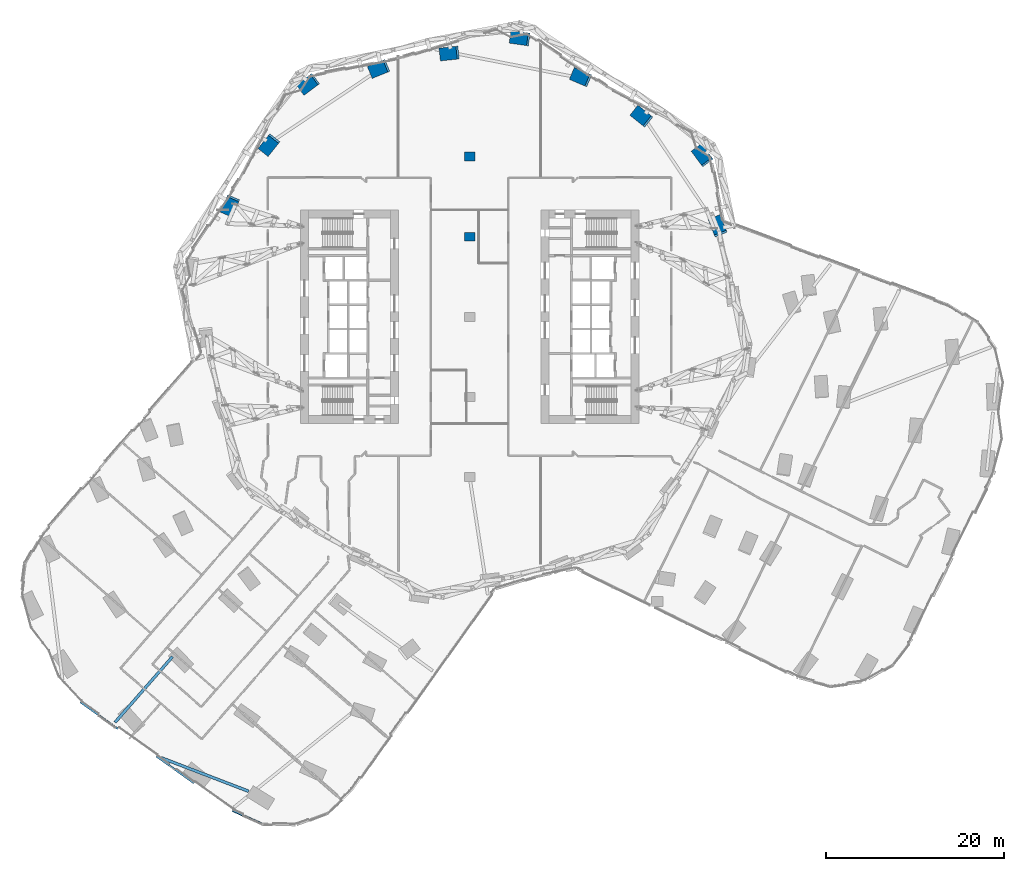
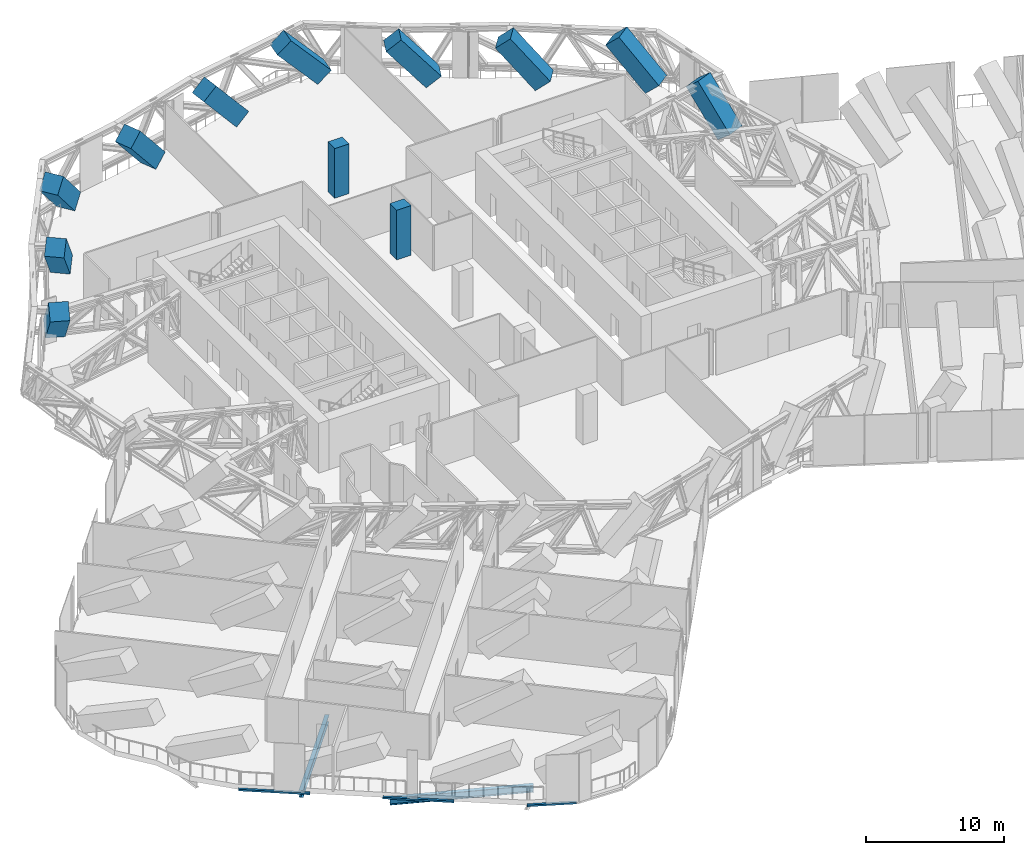
# One storey, part 2 of 34: 12 columns, 3 members, 2 beams, 2 elements without a shape of their own.
"""IFC4 building model written with IfcOpenShell, lengths in metres."""

from ifc_helpers import new_model, si_unit, direction, frame, origin, origin_2d, place, context, subcontext, project, spatial, rectangle, i_section, extrude, material, material_profile, profile_set, type_object, element, aggregate, save


model = new_model("IFC4")

# Units and contexts
model_context = context("Model", 3, precision=1e-05, world=origin(), true_north=direction((0.0, 1.0)))
body_context = subcontext(model_context, "Body", "Model", "MODEL_VIEW")
ifc_project = project(units=[si_unit("LENGTHUNIT", "METRE"), si_unit("AREAUNIT", "SQUARE_METRE"), si_unit("VOLUMEUNIT", "CUBIC_METRE"), si_unit("PLANEANGLEUNIT", "RADIAN"), si_unit("MASSUNIT", "GRAM", prefix="KILO")], contexts=[model_context])

# Site, building, storey
site_placement = place(None, origin())
site = spatial("IfcSite", under=ifc_project, at=site_placement, CompositionType="ELEMENT")
building_placement = place(site_placement, origin())
building = spatial("IfcBuilding", under=site, at=building_placement, Name="Orlundy Tower", CompositionType="ELEMENT")
storey_placement = place(building_placement, frame((0.0, 0.0, 76.300048828125)))
storey = spatial("IfcBuildingStorey", under=building, at=storey_placement, Name="L18", CompositionType="ELEMENT", Elevation=76.300048828125)

# Columns
ifc_material_1 = material(Name="Concrete C80/95", Category="concrete")
ifc_material_profile_1 = material_profile(ifc_material_1, rectangle(XDim=1.199951171875, YDim=1.0, at=origin_2d()), Name="RC1200X1000")
ifc_profile_set_1 = profile_set([ifc_material_profile_1], Name="Concrete C80/95")
column_type_1 = type_object("IfcColumnType", Name="RC COLUMN RC1200X1000 C80/95", PredefinedType="COLUMN", material=ifc_profile_set_1)
for number, where, z_axis, x_axis, name in (
    (1, (0.0, 9.0, 0.0), (0.0, 0.0, 1.0), (1.0, 0.0, 0.0), "Column C-M4 L18"),
    (2, (0.0, 18.0, 0.0), (0.0, 0.0, 1.0), (1.0, 0.0, 0.0), "Column C-M5 L18"),
):
    element("IfcColumn", number, at=place(storey_placement, frame(where, z_axis=z_axis, x_axis=x_axis)), inside=storey, type_object=column_type_1, Name=name, PredefinedType="COLUMN", context=body_context, shape_type="SweptSolid", body=[
        extrude(rectangle(XDim=1.199951171875, YDim=1.0, at=origin_2d()), origin(), (0.0, 0.0, 1.0), 4.39990234375),
    ])
ifc_material_2 = material(Name="Concrete C80/95", Category="concrete")
ifc_material_profile_2 = material_profile(ifc_material_2, rectangle(XDim=1.449951171875, YDim=1.449951171875, at=origin_2d()), Name="RC1450X1450")
ifc_profile_set_2 = profile_set([ifc_material_profile_2], Name="Concrete C80/95")
column_type_2 = type_object("IfcColumnType", Name="RC COLUMN RC1450X1450 C80/95", PredefinedType="COLUMN", material=ifc_profile_set_2)
column_1_placement = place(storey_placement, frame((26.43408203125, 17.718017578125, 0.490966796875), z_axis=(-0.404525579295, 0.5431164527, 0.735787723805), x_axis=(-0.801988529127, -0.597339433781, 0.0)))
element("IfcColumn", 3, at=column_1_placement, inside=storey, type_object=column_type_2, Name="Column C-H01 L18 strut", PredefinedType="COLUMN", context=body_context, shape_type="SweptSolid", body=[
    extrude(rectangle(XDim=1.449951171875, YDim=1.449951171875, at=origin_2d()), origin(), (0.0, 0.0, 1.0), 4.645263671875),
])
column_2_placement = place(storey_placement, frame((28.029052734375, 9.758056640625, 0.46875), z_axis=(-0.242399975133, 0.599329365947, 0.762919761947), x_axis=(-0.927046689542, -0.374945909979, 0.0)))
element("IfcColumn", 4, at=column_2_placement, inside=storey, type_object=column_type_2, Name="Column C-H02 L18 strut", PredefinedType="COLUMN", context=body_context, shape_type="SweptSolid", body=[
    extrude(rectangle(XDim=1.449951171875, YDim=1.449951171875, at=origin_2d()), origin(), (0.0, 0.0, 1.0), 4.538330078125),
])
column_3_placement = place(storey_placement, frame((-26.718994140625, 12.919921875, 0.46875), z_axis=(-0.252280476656, -0.595306617304, 0.762866038366), x_axis=(0.920733990351, -0.390190875101, 0.0)))
element("IfcColumn", 5, at=column_3_placement, inside=storey, type_object=column_type_2, Name="Column C-H17 L18 strut", PredefinedType="COLUMN", context=body_context, shape_type="SweptSolid", body=[
    extrude(rectangle(XDim=1.449951171875, YDim=1.449951171875, at=origin_2d()), origin(), (0.0, 0.0, 1.0), 4.53857421875),
])
column_4_placement = place(storey_placement, frame((-22.218994140625, 19.677001953125, 0.46875), z_axis=(-0.404114198636, -0.504604790097, 0.762932316967), x_axis=(0.780543967772, -0.625100883358, 0.0)))
element("IfcColumn", 6, at=column_4_placement, inside=storey, type_object=column_type_2, Name="Column C-H18 L18 strut", PredefinedType="COLUMN", context=body_context, shape_type="SweptSolid", body=[
    extrude(rectangle(XDim=1.449951171875, YDim=1.449951171875, at=origin_2d()), origin(), (0.0, 0.0, 1.0), 4.538330078125),
])
column_5_placement = place(storey_placement, frame((-17.718017578125, 26.43408203125, 0.490966796875), z_axis=(-0.5431164527, -0.404525579295, 0.735787723805), x_axis=(0.597339433781, -0.801988529127, 0.0)))
element("IfcColumn", 7, at=column_5_placement, inside=storey, type_object=column_type_2, Name="Column C-H19 L18 strut", PredefinedType="COLUMN", context=body_context, shape_type="SweptSolid", body=[
    extrude(rectangle(XDim=1.449951171875, YDim=1.449951171875, at=origin_2d()), origin(), (0.0, 0.0, 1.0), 4.645263671875),
])
column_6_placement = place(storey_placement, frame((-9.758056640625, 28.029052734375, 0.46875), z_axis=(-0.599329365947, -0.242399975133, 0.762919761947), x_axis=(0.374945909979, -0.927046689542, 0.0)))
element("IfcColumn", 8, at=column_6_placement, inside=storey, type_object=column_type_2, Name="Column C-H20 L18 strut", PredefinedType="COLUMN", context=body_context, shape_type="SweptSolid", body=[
    extrude(rectangle(XDim=1.449951171875, YDim=1.449951171875, at=origin_2d()), origin(), (0.0, 0.0, 1.0), 4.538330078125),
])
column_7_placement = place(storey_placement, frame((-1.797119140625, 29.6240234375, 0.46875), z_axis=(-0.642678137038, -0.070948481985, 0.762844102735), x_axis=(0.1097284362, -0.993961604032, 0.0)))
element("IfcColumn", 9, at=column_7_placement, inside=storey, type_object=column_type_2, Name="Column C-H21 L18 strut", PredefinedType="COLUMN", context=body_context, shape_type="SweptSolid", body=[
    extrude(rectangle(XDim=1.449951171875, YDim=1.449951171875, at=origin_2d()), origin(), (0.0, 0.0, 1.0), 4.538818359375),
])
column_8_placement = place(storey_placement, frame((6.1630859375, 31.219970703125, 0.490966796875), z_axis=(-0.670106023434, 0.098169402539, 0.735744986909), x_axis=(-0.144951118407, -0.989438817347, 0.0)))
element("IfcColumn", 10, at=column_8_placement, inside=storey, type_object=column_type_2, Name="Column C-H22 L18 strut", PredefinedType="COLUMN", context=body_context, shape_type="SweptSolid", body=[
    extrude(rectangle(XDim=1.449951171875, YDim=1.449951171875, at=origin_2d()), origin(), (0.0, 0.0, 1.0), 4.6455078125),
])
column_9_placement = place(storey_placement, frame((12.919921875, 26.718994140625, 0.46875), z_axis=(-0.595306617304, 0.252280476656, 0.762866038366), x_axis=(-0.390190875101, -0.920733990351, 0.0)))
element("IfcColumn", 11, at=column_9_placement, inside=storey, type_object=column_type_2, Name="Column C-H23 L18 strut", PredefinedType="COLUMN", context=body_context, shape_type="SweptSolid", body=[
    extrude(rectangle(XDim=1.449951171875, YDim=1.449951171875, at=origin_2d()), origin(), (0.0, 0.0, 1.0), 4.53857421875),
])
column_10_placement = place(storey_placement, frame((19.677001953125, 22.218994140625, 0.46875), z_axis=(-0.504604790097, 0.404114198636, 0.762932316967), x_axis=(-0.625100883358, -0.780543967772, 0.0)))
element("IfcColumn", 12, at=column_10_placement, inside=storey, type_object=column_type_2, Name="Column C-H24 L18 strut", PredefinedType="COLUMN", context=body_context, shape_type="SweptSolid", body=[
    extrude(rectangle(XDim=1.449951171875, YDim=1.449951171875, at=origin_2d()), origin(), (0.0, 0.0, 1.0), 4.538330078125),
])

# Beams
ifc_material_3 = material(Name="Steel ASTM A992 Gr 50", Category="steel")
ifc_material_profile_3 = material_profile(ifc_material_3, i_section(OverallWidth=0.32373046875, OverallDepth=0.611083984375, WebThickness=0.0126953125, FlangeThickness=0.01904296875, at=origin_2d()), Name="W24X104")
ifc_profile_set_3 = profile_set([ifc_material_profile_3], Name="Steel ASTM A992 Gr 50")
beam_type = type_object("IfcBeamType", Name="CANTILEVER GIRDER beam W24X104", PredefinedType="BEAM", material=ifc_profile_set_3)
beam_1_placement = place(storey_placement, frame((-39.822509765625, -45.54248046875, -0.755615234375), z_axis=(0.65825918547, 0.75279136867, 0.0), x_axis=(-0.75279136867, 0.65825918547, 0.0)))
element("IfcBeam", 13, at=beam_1_placement, inside=storey, type_object=beam_type, Name="Cantilever girder C-B3-5 L18", PredefinedType="BEAM", context=body_context, shape_type="SweptSolid", body=[
    extrude(i_section(OverallWidth=0.32373046875, OverallDepth=0.611083984375, WebThickness=0.0126953125, FlangeThickness=0.01904296875, at=origin_2d()), origin(), (0.0, 0.0, 1.0), 9.790771484375),
])
beam_2_placement = place(storey_placement, frame((-34.653564453125, -49.503173828125, -0.755615234375), z_axis=(0.933646491633, -0.358195796544, 0.0), x_axis=(0.358195796544, 0.933646491633, 0.0)))
element("IfcBeam", 14, at=beam_2_placement, inside=storey, type_object=beam_type, Name="Cantilever girder C-B4-5 L18", PredefinedType="BEAM", context=body_context, shape_type="SweptSolid", body=[
    extrude(i_section(OverallWidth=0.32373046875, OverallDepth=0.611083984375, WebThickness=0.0126953125, FlangeThickness=0.01904296875, at=origin_2d()), origin(), (0.0, 0.0, 1.0), 10.5283203125),
])

# Curtain wall, member
ifc_material_4 = material(Name="Aluminium bronze anodised", Category="aluminium")
curtain_wall_type = type_object("IfcCurtainWallType", Name="CW4 wall", PredefinedType="NOTDEFINED", material=ifc_material_4)
curtain_wall_1_placement = place(storey_placement, origin())
curtain_wall_1 = element("IfcCurtainWall", 15, at=curtain_wall_1_placement, inside=storey, type_object=curtain_wall_type, Name="CW4 run 034", PredefinedType="NOTDEFINED")
ifc_material_5 = material(Name="Aluminium bronze anodised", Category="aluminium")
ifc_material_profile_4 = material_profile(ifc_material_5, rectangle(XDim=0.199951171875, YDim=0.14990234375, at=origin_2d()), Name="CW4 transom 200x150")
ifc_profile_set_4 = profile_set([ifc_material_profile_4], Name="Aluminium bronze anodised")
member_type = type_object("IfcMemberType", Name="CW4 transom 200x150", PredefinedType="USERDEFINED", material=ifc_profile_set_4)
member_1_placement = place(storey_placement, frame((-23.319091796875, -56.932373046875, -0.375), z_axis=(-0.911660369706, 0.410944485676, 0.0), x_axis=(-0.410944485676, -0.911660369706, 0.0)))
member_1 = element("IfcMember", 16, at=member_1_placement, type_object=member_type, Name="CW4 transom", ObjectType="TRANSOM", PredefinedType="USERDEFINED", context=body_context, shape_type="SweptSolid", body=[
    extrude(rectangle(XDim=0.199951171875, YDim=0.14990234375, at=origin_2d()), origin(), (0.0, 0.0, 1.0), 3.606201171875),
])
aggregate(curtain_wall_1, [member_1])

# Curtain wall, members
curtain_wall_2_placement = place(storey_placement, origin())
curtain_wall_2 = element("IfcCurtainWall", 17, at=curtain_wall_2_placement, inside=storey, type_object=curtain_wall_type, Name="CW4 run 035", PredefinedType="NOTDEFINED")
member_2_placement = place(storey_placement, frame((-30.940673828125, -52.366455078125, -0.375), z_axis=(-0.814152797178, 0.580650689182, 0.0), x_axis=(-0.580650689182, -0.814152797178, 0.0)))
member_2 = element("IfcMember", 18, at=member_2_placement, type_object=member_type, Name="CW4 transom", ObjectType="TRANSOM", PredefinedType="USERDEFINED", context=body_context, shape_type="SweptSolid", body=[
    extrude(rectangle(XDim=0.199951171875, YDim=0.14990234375, at=origin_2d()), origin(), (0.0, 0.0, 1.0), 5.190185546875),
])
member_3_placement = place(storey_placement, frame((-39.4892578125, -46.26953125, -0.375), z_axis=(-0.814148852449, 0.580656220199, 0.0), x_axis=(-0.580656220199, -0.814148852449, 0.0)))
member_3 = element("IfcMember", 19, at=member_3_placement, type_object=member_type, Name="CW4 transom", ObjectType="TRANSOM", PredefinedType="USERDEFINED", context=body_context, shape_type="SweptSolid", body=[
    extrude(rectangle(XDim=0.199951171875, YDim=0.14990234375, at=origin_2d()), origin(), (0.0, 0.0, 1.0), 5.19970703125),
])
aggregate(curtain_wall_2, [member_2, member_3])

save(model, "model.ifc")
